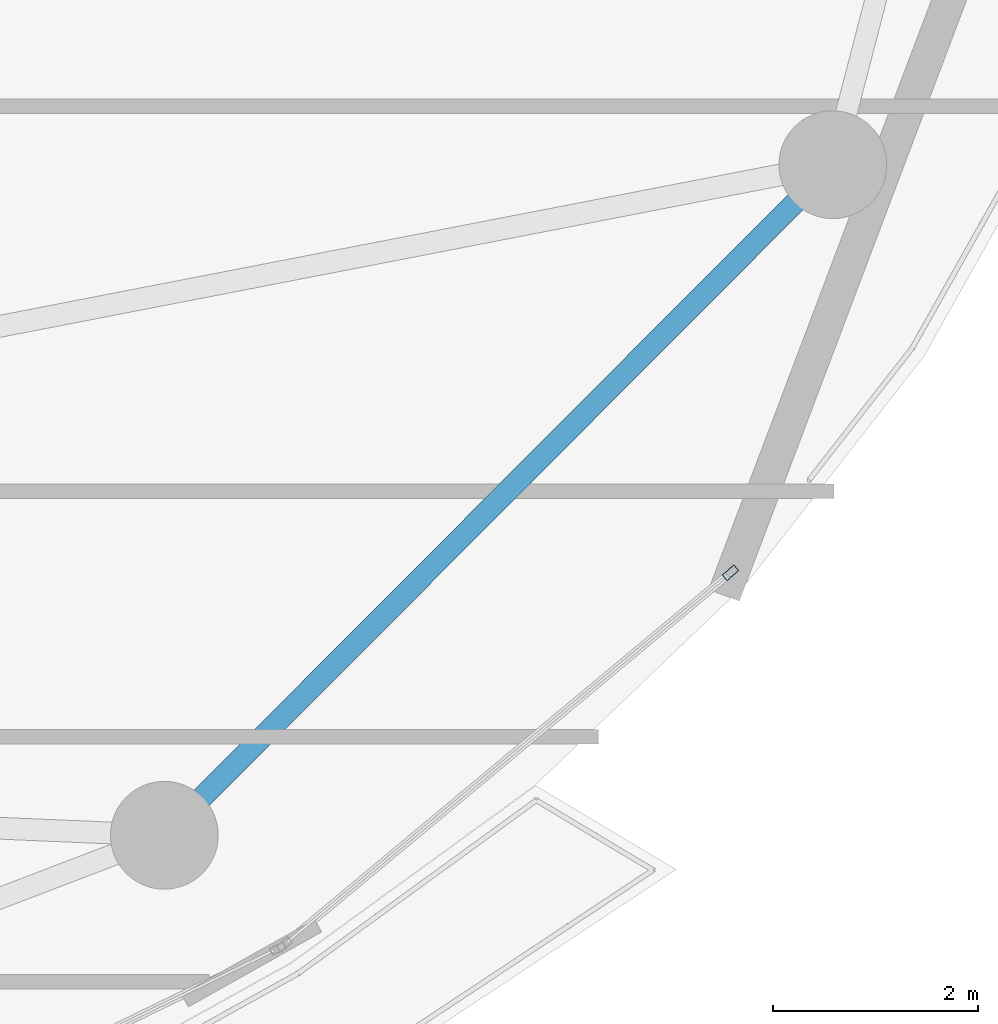
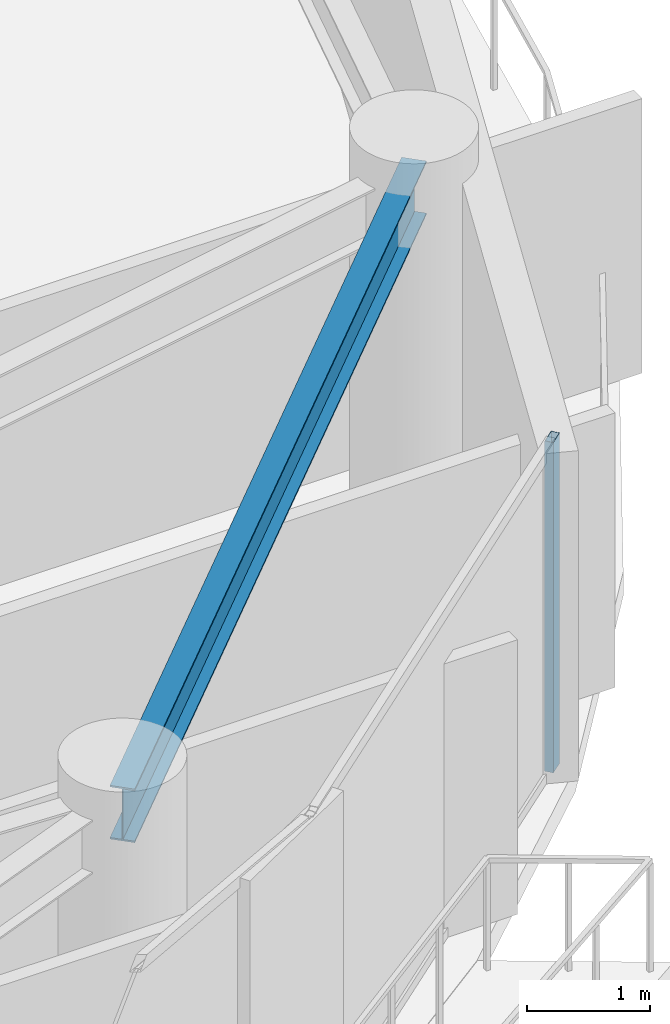
# One storey, part 13 of 29: 1 beam, 1 member, 1 element without a shape of its own.
"""IFC4 building model written with IfcOpenShell, lengths in metres."""

from ifc_helpers import new_model, si_unit, direction, frame, origin, origin_2d, place, context, subcontext, project, spatial, hollow_rectangle, i_section, extrude, material, layer, layer_set, material_profile, profile_set, type_object, element, aggregate, save


model = new_model("IFC4")

# Units and contexts
model_context = context("Model", 3, precision=1e-05, world=origin(), true_north=direction((0.0, 1.0)))
body_context = subcontext(model_context, "Body", "Model", "MODEL_VIEW")
ifc_project = project(units=[si_unit("LENGTHUNIT", "METRE"), si_unit("AREAUNIT", "SQUARE_METRE"), si_unit("VOLUMEUNIT", "CUBIC_METRE"), si_unit("PLANEANGLEUNIT", "RADIAN"), si_unit("MASSUNIT", "GRAM", prefix="KILO")], contexts=[model_context])

# Site, building, storey
site_placement = place(None, origin())
site = spatial("IfcSite", under=ifc_project, at=site_placement, CompositionType="ELEMENT")
building_placement = place(site_placement, origin())
building = spatial("IfcBuilding", under=site, at=building_placement, Name="Kazevale Care Tower and Concert Hall", CompositionType="ELEMENT")
storey_placement = place(building_placement, frame((0.0, 0.0, 249.60009765625)))
storey = spatial("IfcBuildingStorey", under=building, at=storey_placement, Name="L66", CompositionType="ELEMENT", Elevation=249.60009765625)

# Curtain wall, member
ifc_material_1 = material(Name="Aluminium 6063-T6 and Low-E Glass", Category="aluminium")
ifc_layer = layer(ifc_material_1, 0.179931640625)
ifc_layer_set = layer_set([ifc_layer], Name="Aluminium 6063-T6 and Low-E Glass")
curtain_wall_type = type_object("IfcCurtainWallType", Name="Sheltered Concave Balcony Curtain Wall CW-5", PredefinedType="NOTDEFINED", material=ifc_layer_set)
curtain_wall_placement = place(storey_placement, origin())
curtain_wall = element("IfcCurtainWall", 1, at=curtain_wall_placement, inside=storey, type_object=curtain_wall_type, Name="cw:L66:f02", PredefinedType="NOTDEFINED")
ifc_material_2 = material(Name="Aluminium 6063-T6", Category="aluminium")
ifc_material_profile_1 = material_profile(ifc_material_2, hollow_rectangle(XDim=0.074951171875, YDim=0.14990234375, WallThickness=0.00390625, at=origin_2d()), Name="ALU75x150x4")
ifc_profile_set_1 = profile_set([ifc_material_profile_1], Name="Aluminium 6063-T6")
member_type = type_object("IfcMemberType", Name="CW-5 Mullion ALU75x150x4", PredefinedType="MULLION", material=ifc_profile_set_1)
member_placement = place(storey_placement, frame((71.76318359375, 25.2060546875, 0.0), z_axis=(0.0, 0.0, 1.0), x_axis=(0.639961217204, -0.768407210062, 0.0)))
member = element("IfcMember", 2, at=member_placement, type_object=member_type, Name="CW-5 mullion 1", PredefinedType="MULLION", context=body_context, shape_type="SweptSolid", body=[
    extrude(hollow_rectangle(XDim=0.074951171875, YDim=0.14990234375, WallThickness=0.00390625, at=origin_2d()), origin(), (0.0, 0.0, 1.0), 3.27978515625),
])
aggregate(curtain_wall, [member])

# Beam
ifc_material_3 = material(Name="Steel ASTM A572 Gr 50", Category="steel")
ifc_material_profile_2 = material_profile(ifc_material_3, i_section(OverallWidth=0.208984375, OverallDepth=0.532958984375, WebThickness=0.01025390625, FlangeThickness=0.015625, at=origin_2d()), Name="W530x92")
ifc_profile_set_2 = profile_set([ifc_material_profile_2], Name="Steel ASTM A572 Gr 50")
beam_type = type_object("IfcBeamType", Name="Upper Ring Beam W530x92", PredefinedType="BEAM", material=ifc_profile_set_2)
beam_placement = place(storey_placement, frame((66.25, 22.64990234375, 3.013427734375), z_axis=(0.706020373708, 0.708191522054, 0.0), x_axis=(-0.708191522054, 0.706020373708, 0.0)))
element("IfcBeam", 3, at=beam_placement, inside=storey, type_object=beam_type, Name="beam:L66:ring:15", PredefinedType="BEAM", context=body_context, shape_type="SweptSolid", body=[
    extrude(i_section(OverallWidth=0.208984375, OverallDepth=0.532958984375, WebThickness=0.01025390625, FlangeThickness=0.015625, at=origin_2d()), origin(), (0.0, 0.0, 1.0), 9.220703125),
])

save(model, "model.ifc")
